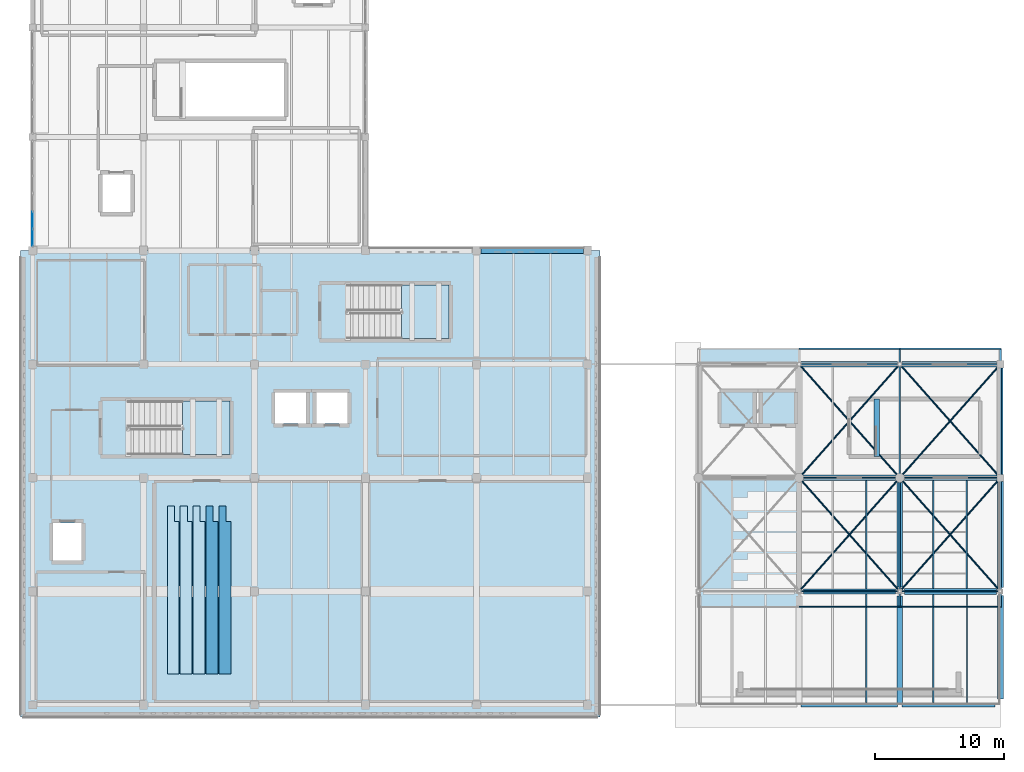
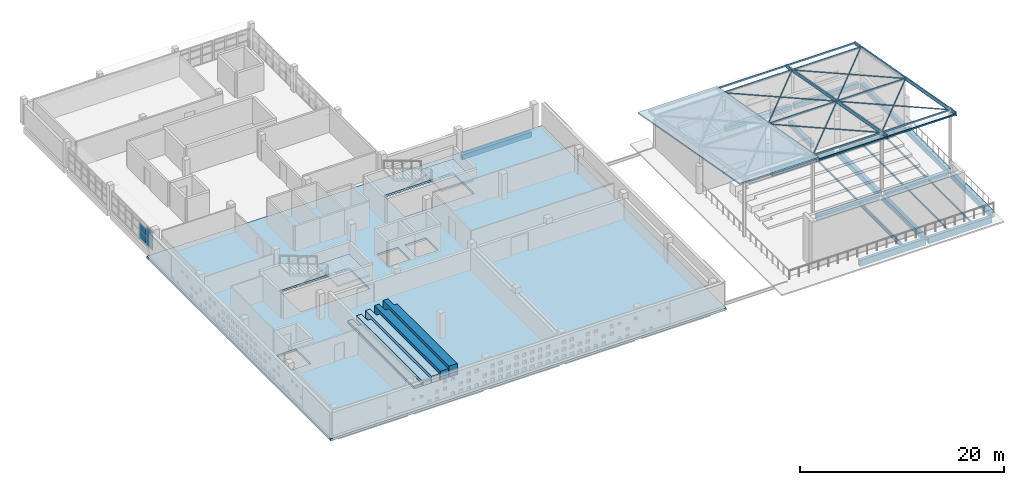
# One storey, part 18 of 34: 22 members, 21 beams, 9 slabs, 5 plates, 3 elements without a shape of their own.
"""IFC4 building model written with IfcOpenShell, lengths in metres."""

import ifcopenshell
import ifcopenshell.guid

model = None  # the IFC model being written
_history = None  # IfcOwnerHistory: only IFC2X3 demands one
_inside = {}  # id of a spatial element -> (the spatial element, [elements in it])
_under = {}  # id of a project, library or spatial element -> (it, [spatial elements below it])
_declared = {}  # id of a project -> (the project, [libraries it declares])
_typed = {}  # id of a type object -> (the type object, [elements of that type])
_made_of = {}  # id of a material, layer set ... -> (it, [elements and type objects made of it])


def new_model(schema):
    """Start an empty IFC model of exactly this schema.

    Asked for "IFC4X3", IfcOpenShell would pick the latest addendum, in which some entities
    have other attributes; the version numbers below select the first issue.
    IFC2X3 requires an IfcOwnerHistory on every rooted entity: one is made here for all.
    """
    global model, _history
    if schema == "IFC4X3":
        model = ifcopenshell.file(schema_version=(4, 3, 0, 0))
    else:
        model = ifcopenshell.file(schema=schema)
    _inside.clear()
    _under.clear()
    _declared.clear()
    _typed.clear()
    _made_of.clear()
    _history = None
    if model.schema == "IFC2X3":
        org = make("IfcOrganization", Name="unknown")
        user = make(
            "IfcPersonAndOrganization",
            ThePerson=make("IfcPerson", FamilyName="unknown"),
            TheOrganization=org,
        )
        app = make(
            "IfcApplication",
            ApplicationDeveloper=org,
            Version="unknown",
            ApplicationFullName="unknown",
            ApplicationIdentifier="unknown",
        )
        _history = make(
            "IfcOwnerHistory",
            OwningUser=user,
            OwningApplication=app,
            ChangeAction="ADDED",
            CreationDate=0,
        )
    return model


def make(cls, **values):
    """One entity of the class cls with the attributes given. An attribute that is None is left unset."""
    return model.create_entity(
        cls, **{name: value for name, value in values.items() if value is not None}
    )


def rooted(cls, **values):
    """An entity with a GlobalId (a new one), such as an element, a storey or a relation."""
    return make(cls, GlobalId=ifcopenshell.guid.new(), OwnerHistory=_history, **values)


def si_unit(unit_type, name, prefix=None):
    """IfcSIUnit, for example si_unit("LENGTHUNIT", "METRE", prefix="MILLI")."""
    return make("IfcSIUnit", UnitType=unit_type, Prefix=prefix, Name=name)


def assignment(units):
    """IfcUnitAssignment: the units of a project."""
    return None if units is None else make("IfcUnitAssignment", Units=units)


def point(xyz):
    """IfcCartesianPoint."""
    return None if xyz is None else make("IfcCartesianPoint", Coordinates=xyz)


def direction(xyz):
    """IfcDirection."""
    return None if xyz is None else make("IfcDirection", DirectionRatios=xyz)


def frame(location, z_axis=None, x_axis=None):
    """IfcAxis2Placement3D, a coordinate frame: its origin and axes. An axis left out is left unset."""
    return make(
        "IfcAxis2Placement3D",
        Location=point(location),
        Axis=direction(z_axis),
        RefDirection=direction(x_axis),
    )


def frame_2d(location, x_axis=None):
    """IfcAxis2Placement2D, a coordinate frame in the plane: its origin and x axis."""
    return make(
        "IfcAxis2Placement2D", Location=point(location), RefDirection=direction(x_axis)
    )


def origin():
    """The frame at (0, 0, 0) with its axes left unset."""
    return frame((0.0, 0.0, 0.0))


def origin_2d():
    """The frame at (0, 0) in the plane with its x axis left unset."""
    return frame_2d((0.0, 0.0))


def place(relative_to, where):
    """IfcLocalPlacement: puts the frame where relative to a parent placement (None: the world)."""
    return make(
        "IfcLocalPlacement", PlacementRelTo=relative_to, RelativePlacement=where
    )


def context(
    kind, dimensions, precision=None, world=None, true_north=None, identifier=None
):
    """IfcGeometricRepresentationContext, for example the 3D "Model" context."""
    return make(
        "IfcGeometricRepresentationContext",
        ContextIdentifier=identifier,
        ContextType=kind,
        CoordinateSpaceDimension=dimensions,
        Precision=precision,
        WorldCoordinateSystem=world,
        TrueNorth=true_north,
    )


def subcontext(parent, identifier, kind, view, scale=None):
    """IfcGeometricRepresentationSubContext, for example "Body" below "Model"."""
    return make(
        "IfcGeometricRepresentationSubContext",
        ContextIdentifier=identifier,
        ContextType=kind,
        ParentContext=parent,
        TargetScale=scale,
        TargetView=view,
    )


def project(units=None, contexts=None):
    """IfcProject with its units and contexts."""
    return rooted(
        "IfcProject",
        Name="project",
        RepresentationContexts=contexts,
        UnitsInContext=assignment(units),
    )


def spatial(cls, under=None, at=None, **own):
    """A site, building, storey or space (cls), placed at a placement, below another one or the project."""
    s = rooted(cls, ObjectPlacement=at, **own)
    if under is not None:
        _under.setdefault(under.id(), (under, []))[1].append(s)
    return s


def polyline(points):
    """IfcPolyline through the points."""
    return make("IfcPolyline", Points=[point(p) for p in points])


def profile(cls, at=None, kind="AREA", **sizes):
    """A parametric profile (cls). Its sizes go by their IFC names, for example OverallWidth=200.0."""
    return make(cls, ProfileType=kind, Position=at, **sizes)


def rectangle(**sizes):
    """IfcRectangleProfileDef."""
    return profile("IfcRectangleProfileDef", **sizes)


def hollow_rectangle(**sizes):
    """IfcRectangleHollowProfileDef."""
    return profile("IfcRectangleHollowProfileDef", **sizes)


def hollow_circle(**sizes):
    """IfcCircleHollowProfileDef."""
    return profile("IfcCircleHollowProfileDef", **sizes)


def i_section(**sizes):
    """IfcIShapeProfileDef."""
    return profile("IfcIShapeProfileDef", **sizes)


def outline(outer, holes=None, kind="AREA"):
    """IfcArbitraryClosedProfileDef: a profile drawn as a closed curve; with holes, ...WithVoids."""
    if holes is None:
        return make("IfcArbitraryClosedProfileDef", ProfileType=kind, OuterCurve=outer)
    return make(
        "IfcArbitraryProfileDefWithVoids",
        ProfileType=kind,
        OuterCurve=outer,
        InnerCurves=holes,
    )


def extrude(swept, where, along, depth):
    """IfcExtrudedAreaSolid: the profile swept, set in the frame where, extruded along a direction by depth."""
    return make(
        "IfcExtrudedAreaSolid",
        SweptArea=swept,
        Position=where,
        ExtrudedDirection=direction(along),
        Depth=depth,
    )


def shape(context_of_items, identifier, shape_type, items):
    """IfcShapeRepresentation: the items that make up one representation, for example the "Body"."""
    return make(
        "IfcShapeRepresentation",
        ContextOfItems=context_of_items,
        RepresentationIdentifier=identifier,
        RepresentationType=shape_type,
        Items=items,
    )


def material(Name=None, Category=None):
    """IfcMaterial."""
    return make("IfcMaterial", Name=Name, Category=Category)


def layer(
    of_material, thickness, ventilated=None, Name=None, Category=None, Priority=None
):
    """IfcMaterialLayer: one layer of a wall or slab, of a material (None: an air gap)."""
    return make(
        "IfcMaterialLayer",
        Material=of_material,
        LayerThickness=thickness,
        IsVentilated=ventilated,
        Name=Name,
        Category=Category,
        Priority=Priority,
    )


def layer_set(layers, Name=None):
    """IfcMaterialLayerSet."""
    return make("IfcMaterialLayerSet", MaterialLayers=layers, LayerSetName=Name)


def material_profile(
    of_material, cross_section, Name=None, Category=None, Priority=None
):
    """IfcMaterialProfile: a cross section and its material."""
    return make(
        "IfcMaterialProfile",
        Name=Name,
        Material=of_material,
        Profile=cross_section,
        Priority=Priority,
        Category=Category,
    )


def profile_set(profiles, Name=None, composite=None):
    """IfcMaterialProfileSet."""
    return make(
        "IfcMaterialProfileSet",
        Name=Name,
        MaterialProfiles=profiles,
        CompositeProfile=composite,
    )


def made_of(thing, what):
    """Note that an element or type object is made of a material, layer set ...; save() writes the relation."""
    if what is not None:
        _made_of.setdefault(what.id(), (what, []))[1].append(thing)
    return thing


def type_object(cls, material=None, **own):
    """A type object (cls), such as IfcWallType, which elements share."""
    return made_of(rooted(cls, **own), material)


def element(
    cls,
    number,
    at=None,
    inside=None,
    cuts=None,
    type_object=None,
    material=None,
    context=None,
    identifier="Body",
    shape_type=None,
    held_by="IfcProductDefinitionShape",
    body=None,
    shapes=None,
    **own,
):
    """One element of the class cls, such as IfcWall. Its Tag is "e" and its number.

    at: its placement. inside: the storey or other place that contains it. cuts: it is an
    opening in that element (IfcRelVoidsElement). A single representation is given by context,
    identifier, shape_type and body (its items); several are given by shapes. held_by: the class
    of the entity that holds the representations. save() writes the other relations.
    """
    e = rooted(cls, Tag="e%d" % number, ObjectPlacement=at, **own)
    if body is not None:
        shapes = [shape(context, identifier, shape_type, body)]
    if shapes is not None:
        e.Representation = make(held_by, Representations=shapes)
    if inside is not None:
        _inside.setdefault(inside.id(), (inside, []))[1].append(e)
    if cuts is not None:
        rooted(
            "IfcRelVoidsElement", RelatingBuildingElement=cuts, RelatedOpeningElement=e
        )
    if type_object is not None:
        _typed.setdefault(type_object.id(), (type_object, []))[1].append(e)
    return made_of(e, material)


def aggregate(whole, parts):
    """IfcRelAggregates: a whole, such as a stair, and the parts it consists of."""
    return rooted("IfcRelAggregates", RelatingObject=whole, RelatedObjects=parts)


def save(model, path):
    """Write the relations noted so far, then the file.

    IfcRelAggregates (storeys below a building ...), IfcRelContainedInSpatialStructure (elements
    in a storey), IfcRelDefinesByType, IfcRelAssociatesMaterial and IfcRelDeclares: one each for
    every whole, place, type object, material and project.
    """
    for whole, parts in _under.values():
        aggregate(whole, parts)
    for where, things in _inside.values():
        rooted(
            "IfcRelContainedInSpatialStructure",
            RelatedElements=things,
            RelatingStructure=where,
        )
    for kind, things in _typed.values():
        rooted("IfcRelDefinesByType", RelatedObjects=things, RelatingType=kind)
    for what, things in _made_of.values():
        rooted("IfcRelAssociatesMaterial", RelatedObjects=things, RelatingMaterial=what)
    for by, libraries in _declared.values():
        rooted("IfcRelDeclares", RelatingContext=by, RelatedDefinitions=libraries)
    model.write(path)


model = new_model("IFC4")

# Units and contexts
model_context = context("Model", 3, precision=1e-05, world=origin(), true_north=direction((0.0, 1.0)))
body_context = subcontext(model_context, "Body", "Model", "MODEL_VIEW")
ifc_project = project(units=[si_unit("LENGTHUNIT", "METRE"), si_unit("AREAUNIT", "SQUARE_METRE"), si_unit("VOLUMEUNIT", "CUBIC_METRE"), si_unit("PLANEANGLEUNIT", "RADIAN"), si_unit("MASSUNIT", "GRAM", prefix="KILO")], contexts=[model_context])

# Site, building, storey
site_placement = place(None, origin())
site = spatial("IfcSite", under=ifc_project, at=site_placement, CompositionType="ELEMENT")
building_placement = place(site_placement, origin())
building = spatial("IfcBuilding", under=site, at=building_placement, Name="Varnakota Cinema and Media Centre", CompositionType="ELEMENT")
storey_placement = place(building_placement, frame((0.0, 0.0, 19.050048828125)))
storey = spatial("IfcBuildingStorey", under=building, at=storey_placement, Name="L05", CompositionType="ELEMENT", Elevation=19.050048828125)

# Beams
ifc_material_1 = material(Name="Concrete M35", Category="concrete")
ifc_material_profile_1 = material_profile(ifc_material_1, rectangle(XDim=0.39990234375, YDim=0.60009765625, at=origin_2d()), Name="RCB 400x600")
ifc_profile_set_1 = profile_set([ifc_material_profile_1], Name="Concrete M35")
beam_type_1 = type_object("IfcBeamType", Name="BM-RC-400x600", PredefinedType="BEAM", material=ifc_profile_set_1)
beam_1_placement = place(storey_placement, frame((59.75, 8.800048828125, -0.550048828125), z_axis=(1.0, 0.0, 0.0), x_axis=(0.0, 1.0, 0.0)))
element("IfcBeam", 1, at=beam_1_placement, inside=storey, type_object=beam_type_1, Name="L05 girder H-J/2", PredefinedType="BEAM", context=body_context, shape_type="SweptSolid", body=[
    extrude(rectangle(XDim=0.39990234375, YDim=0.60009765625, at=origin_2d()), origin(), (0.0, 0.0, 1.0), 7.10009765625),
])
beam_2_placement = place(storey_placement, frame((67.362060546875, 26.39990234375, -0.550048828125), z_axis=(1.0, 0.0, 0.0), x_axis=(0.0, 1.0, 0.0)))
element("IfcBeam", 2, at=beam_2_placement, inside=storey, type_object=beam_type_1, Name="L05 girder J-K/4", PredefinedType="BEAM", context=body_context, shape_type="SweptSolid", body=[
    extrude(rectangle(XDim=0.39990234375, YDim=0.60009765625, at=origin_2d()), origin(), (0.0, 0.0, 1.0), 7.337890625),
])
beam_3_placement = place(storey_placement, frame((34.75, 35.199951171875, -0.550048828125), z_axis=(1.0, 0.0, 0.0), x_axis=(0.0, 1.0, 0.0)))
element("IfcBeam", 3, at=beam_3_placement, inside=storey, type_object=beam_type_1, Name="L05 girder E-F/5", PredefinedType="BEAM", context=body_context, shape_type="SweptSolid", body=[
    extrude(rectangle(XDim=0.39990234375, YDim=0.60009765625, at=origin_2d()), origin(), (0.0, 0.0, 1.0), 7.925048828125),
])
beam_4_placement = place(storey_placement, frame((67.199951171875, 0.162109375, -0.550048828125), z_axis=(0.0, 1.0, 0.0), x_axis=(-1.0, 0.0, 0.0)))
element("IfcBeam", 4, at=beam_4_placement, inside=storey, type_object=beam_type_1, Name="L05 girder J/1-2", PredefinedType="BEAM", context=body_context, shape_type="SweptSolid", body=[
    extrude(rectangle(XDim=0.39990234375, YDim=0.60009765625, at=origin_2d()), origin(), (0.0, 0.0, 1.0), 8.287841796875),
])
beam_5_placement = place(storey_placement, frame((75.0, 17.875, -0.550048828125), z_axis=(0.0, 1.0, 0.0), x_axis=(-1.0, 0.0, 0.0)))
element("IfcBeam", 5, at=beam_5_placement, inside=storey, type_object=beam_type_1, Name="L05 girder K/3-4", PredefinedType="BEAM", context=body_context, shape_type="SweptSolid", body=[
    extrude(rectangle(XDim=0.39990234375, YDim=0.60009765625, at=origin_2d()), origin(), (0.0, 0.0, 1.0), 8.22509765625),
])
ifc_material_2 = material(Name="Concrete M40", Category="concrete")
ifc_material_profile_2 = material_profile(ifc_material_2, rectangle(XDim=0.449951171875, YDim=0.550048828125, at=origin_2d()), Name="RCB 450x550")
ifc_profile_set_2 = profile_set([ifc_material_profile_2], Name="Concrete M40")
beam_type_2 = type_object("IfcBeamType", Name="BM-RC-450x550", PredefinedType="BEAM", material=ifc_profile_set_2)
beam_6_placement = place(storey_placement, frame((65.419921875, 19.25, -0.275146484375), z_axis=(0.0, 1.0, 0.0), x_axis=(-1.0, 0.0, 0.0)))
element("IfcBeam", 6, at=beam_6_placement, inside=storey, type_object=beam_type_2, Name="L05 ST-04 stair arrival trimmer beam", PredefinedType="BEAM", context=body_context, shape_type="SweptSolid", body=[
    extrude(rectangle(XDim=0.449951171875, YDim=0.550048828125, at=origin_2d()), origin(), (0.0, 0.0, 1.0), 4.449951171875),
])
ifc_material_3 = material(Name="Concrete M35", Category="concrete")
ifc_material_profile_3 = material_profile(ifc_material_3, rectangle(XDim=0.449951171875, YDim=0.60009765625, at=origin_2d()), Name="RCB 450x600")
ifc_profile_set_3 = profile_set([ifc_material_profile_3], Name="Concrete M35")
beam_type_3 = type_object("IfcBeamType", Name="BM-RC-450x600", PredefinedType="BEAM", material=ifc_profile_set_3)
beam_7_placement = place(storey_placement, frame((67.550048828125, 17.60009765625, -0.550048828125), z_axis=(1.0, 0.0, 0.0), x_axis=(0.0, 1.0, 0.0)))
element("IfcBeam", 7, at=beam_7_placement, inside=storey, type_object=beam_type_3, Name="L05 girder J-K/3", PredefinedType="BEAM", context=body_context, shape_type="SweptSolid", body=[
    extrude(rectangle(XDim=0.449951171875, YDim=0.60009765625, at=origin_2d()), origin(), (0.0, 0.0, 1.0), 7.175048828125),
])
beam_8_placement = place(storey_placement, frame((59.56201171875, 26.39990234375, -0.550048828125), z_axis=(1.0, 0.0, 0.0), x_axis=(0.0, 1.0, 0.0)))
element("IfcBeam", 8, at=beam_8_placement, inside=storey, type_object=beam_type_3, Name="L05 girder H-J/4", PredefinedType="BEAM", context=body_context, shape_type="SweptSolid", body=[
    extrude(rectangle(XDim=0.449951171875, YDim=0.60009765625, at=origin_2d()), origin(), (0.0, 0.0, 1.0), 7.47607421875),
])
beam_9_placement = place(storey_placement, frame((75.0, 9.10009765625, -0.550048828125), z_axis=(0.0, 1.0, 0.0), x_axis=(-1.0, 0.0, 0.0)))
element("IfcBeam", 9, at=beam_9_placement, inside=storey, type_object=beam_type_3, Name="L05 girder K/2-3", PredefinedType="BEAM", context=body_context, shape_type="SweptSolid", body=[
    extrude(rectangle(XDim=0.449951171875, YDim=0.60009765625, at=origin_2d()), origin(), (0.0, 0.0, 1.0), 8.224853515625),
])
ifc_material_4 = material(Name="Concrete M35", Category="concrete")
ifc_material_profile_4 = material_profile(ifc_material_4, rectangle(XDim=0.449951171875, YDim=0.64990234375, at=origin_2d()), Name="RCB 450x650")
ifc_profile_set_4 = profile_set([ifc_material_profile_4], Name="Concrete M35")
beam_type_4 = type_object("IfcBeamType", Name="BM-RC-450x650", PredefinedType="BEAM", material=ifc_profile_set_4)
beam_10_placement = place(storey_placement, frame((67.550048828125, 8.800048828125, -0.574951171875), z_axis=(1.0, 0.0, 0.0), x_axis=(0.0, 1.0, 0.0)))
element("IfcBeam", 10, at=beam_10_placement, inside=storey, type_object=beam_type_4, Name="L05 girder J-K/2", PredefinedType="BEAM", context=body_context, shape_type="SweptSolid", body=[
    extrude(rectangle(XDim=0.449951171875, YDim=0.64990234375, at=origin_2d()), origin(), (0.0, 0.0, 1.0), 7.14990234375),
])
beam_11_placement = place(storey_placement, frame((59.75, 17.60009765625, -0.574951171875), z_axis=(1.0, 0.0, 0.0), x_axis=(0.0, 1.0, 0.0)))
element("IfcBeam", 11, at=beam_11_placement, inside=storey, type_object=beam_type_4, Name="L05 girder H-J/3", PredefinedType="BEAM", context=body_context, shape_type="SweptSolid", body=[
    extrude(rectangle(XDim=0.449951171875, YDim=0.64990234375, at=origin_2d()), origin(), (0.0, 0.0, 1.0), 7.10009765625),
])
beam_12_placement = place(storey_placement, frame((67.199951171875, 9.14990234375, -0.574951171875), z_axis=(0.0, 1.0, 0.0), x_axis=(-1.0, 0.0, 0.0)))
element("IfcBeam", 12, at=beam_12_placement, inside=storey, type_object=beam_type_4, Name="L05 girder J/2-3", PredefinedType="BEAM", context=body_context, shape_type="SweptSolid", body=[
    extrude(rectangle(XDim=0.449951171875, YDim=0.64990234375, at=origin_2d()), origin(), (0.0, 0.0, 1.0), 8.10009765625),
])
beam_13_placement = place(storey_placement, frame((75.0, 0.47509765625, -0.574951171875), z_axis=(0.0, 1.0, 0.0), x_axis=(-1.0, 0.0, 0.0)))
element("IfcBeam", 13, at=beam_13_placement, inside=storey, type_object=beam_type_4, Name="L05 girder K/1-2", PredefinedType="BEAM", context=body_context, shape_type="SweptSolid", body=[
    extrude(rectangle(XDim=0.449951171875, YDim=0.64990234375, at=origin_2d()), origin(), (0.0, 0.0, 1.0), 8.02490234375),
])
ifc_material_5 = material(Name="Concrete M40", Category="concrete")
ifc_material_profile_5 = material_profile(ifc_material_5, rectangle(XDim=0.35009765625, YDim=0.75, at=origin_2d()), Name="RCB 350x750")
ifc_profile_set_5 = profile_set([ifc_material_profile_5], Name="Concrete M40")
beam_type_5 = type_object("IfcBeamType", Name="BM-SP-350x750", PredefinedType="SPANDREL", material=ifc_profile_set_5)
beam_14_placement = place(storey_placement, frame((59.56201171875, 0.0, -0.625), z_axis=(1.0, 0.0, 0.0), x_axis=(0.0, 1.0, 0.0)))
element("IfcBeam", 14, at=beam_14_placement, inside=storey, type_object=beam_type_5, Name="L05 girder H-J/1", PredefinedType="SPANDREL", context=body_context, shape_type="SweptSolid", body=[
    extrude(rectangle(XDim=0.35009765625, YDim=0.75, at=origin_2d()), origin(), (0.0, 0.0, 1.0), 7.47607421875),
])
beam_15_placement = place(storey_placement, frame((67.362060546875, 0.0, -0.625), z_axis=(1.0, 0.0, 0.0), x_axis=(0.0, 1.0, 0.0)))
element("IfcBeam", 15, at=beam_15_placement, inside=storey, type_object=beam_type_5, Name="L05 girder J-K/1", PredefinedType="SPANDREL", context=body_context, shape_type="SweptSolid", body=[
    extrude(rectangle(XDim=0.35009765625, YDim=0.75, at=origin_2d()), origin(), (0.0, 0.0, 1.0), 7.212890625),
])
ifc_material_6 = material(Name="Structural steel Grade 350 (E350)", Category="steel")
ifc_material_profile_6 = material_profile(ifc_material_6, i_section(OverallWidth=0.10009765625, OverallDepth=0.199951171875, WebThickness=0.005615234375, FlangeThickness=0.0107421875, FilletRadius=0.010986328125, at=origin_2d()), Name="ISMB 200")
ifc_profile_set_6 = profile_set([ifc_material_profile_6], Name="Structural steel Grade 350 (E350)")
beam_type_6 = type_object("IfcBeamType", Name="BM-ST-ISMB200", PredefinedType="JOIST", material=ifc_profile_set_6)
beam_16_placement = place(storey_placement, frame((64.60009765625, 9.0, -0.35009765625), z_axis=(0.0, 1.0, 0.0), x_axis=(-1.0, 0.0, 0.0)))
element("IfcBeam", 16, at=beam_16_placement, inside=storey, type_object=beam_type_6, Name="L05 steel joist H-J/2-3 #2", PredefinedType="JOIST", context=body_context, shape_type="SweptSolid", body=[
    extrude(i_section(OverallWidth=0.10009765625, OverallDepth=0.199951171875, WebThickness=0.005615234375, FlangeThickness=0.0107421875, FilletRadius=0.010986328125, at=origin_2d()), origin(), (0.0, 0.0, 1.0), 8.375),
])
for number, where, z_axis, x_axis, name in (
    (17, (69.800048828125, 0.175048828125, -0.35009765625), (0.0, 1.0, 0.0), (-1.0, 0.0, 0.0), "L05 steel joist J-K/1-2 #1"),
    (18, (72.39990234375, 0.175048828125, -0.35009765625), (0.0, 1.0, 0.0), (-1.0, 0.0, 0.0), "L05 steel joist J-K/1-2 #2"),
):
    element("IfcBeam", number, at=place(storey_placement, frame(where, z_axis=z_axis, x_axis=x_axis)), inside=storey, type_object=beam_type_6, Name=name, PredefinedType="JOIST", context=body_context, shape_type="SweptSolid", body=[
        extrude(i_section(OverallWidth=0.10009765625, OverallDepth=0.199951171875, WebThickness=0.005615234375, FlangeThickness=0.0107421875, FilletRadius=0.010986328125, at=origin_2d()), origin(), (0.0, 0.0, 1.0), 8.39990234375),
    ])
ifc_material_7 = material(Name="Structural steel Grade 350 (E350)", Category="steel")
ifc_material_profile_7 = material_profile(ifc_material_7, i_section(OverallWidth=0.110107421875, OverallDepth=0.22509765625, WebThickness=0.006591796875, FlangeThickness=0.01171875, FilletRadius=0.011962890625, at=origin_2d()), Name="ISMB 225")
ifc_profile_set_7 = profile_set([ifc_material_profile_7], Name="Structural steel Grade 350 (E350)")
beam_type_7 = type_object("IfcBeamType", Name="BM-ST-ISMB225", PredefinedType="JOIST", material=ifc_profile_set_7)
for number, where, z_axis, x_axis, name in (
    (19, (69.800048828125, 9.02490234375, -0.362548828125), (0.0, 1.0, 0.0), (-1.0, 0.0, 0.0), "L05 steel joist J-K/2-3 #1"),
    (20, (72.39990234375, 9.02490234375, -0.362548828125), (0.0, 1.0, 0.0), (-1.0, 0.0, 0.0), "L05 steel joist J-K/2-3 #2"),
):
    element("IfcBeam", number, at=place(storey_placement, frame(where, z_axis=z_axis, x_axis=x_axis)), inside=storey, type_object=beam_type_7, Name=name, PredefinedType="JOIST", context=body_context, shape_type="SweptSolid", body=[
        extrude(i_section(OverallWidth=0.110107421875, OverallDepth=0.22509765625, WebThickness=0.006591796875, FlangeThickness=0.01171875, FilletRadius=0.011962890625, at=origin_2d()), origin(), (0.0, 0.0, 1.0), 8.35009765625),
    ])
ifc_material_8 = material(Name="Structural steel Grade 350 (E350)", Category="steel")
ifc_material_profile_8 = material_profile(ifc_material_8, i_section(OverallWidth=0.14990234375, OverallDepth=0.449951171875, WebThickness=0.009521484375, FlangeThickness=0.017333984375, FilletRadius=0.014892578125, at=origin_2d()), Name="ISMB 450")
ifc_profile_set_8 = profile_set([ifc_material_profile_8], Name="Structural steel Grade 350 (E350)")
beam_type_8 = type_object("IfcBeamType", Name="BM-ST-ISMB450", PredefinedType="BEAM", material=ifc_profile_set_8)
beam_17_placement = place(storey_placement, frame((64.60009765625, 0.175048828125, -0.47509765625), z_axis=(0.0, 1.0, 0.0), x_axis=(-1.0, 0.0, 0.0)))
element("IfcBeam", 21, at=beam_17_placement, inside=storey, type_object=beam_type_8, Name="L05 steel joist H-J/1-2 #2", PredefinedType="BEAM", context=body_context, shape_type="SweptSolid", body=[
    extrude(i_section(OverallWidth=0.14990234375, OverallDepth=0.449951171875, WebThickness=0.009521484375, FlangeThickness=0.017333984375, FilletRadius=0.014892578125, at=origin_2d()), origin(), (0.0, 0.0, 1.0), 8.425048828125),
])

# Members
ifc_material_9 = material(Name="Structural steel S355 (YSt 355)", Category="steel")
ifc_material_profile_9 = material_profile(ifc_material_9, hollow_circle(Radius=0.06982421875, WallThickness=0.006103515625, at=origin_2d()), Name="CHS 139.7x6.0")
ifc_profile_set_9 = profile_set([ifc_material_profile_9], Name="Structural steel S355 (YSt 355)")
member_type_1 = type_object("IfcMemberType", Name="MEM-ST-CHS139_7x6_0", PredefinedType="CHORD", material=ifc_profile_set_9)
for number, where, z_axis, x_axis, name in (
    (22, (59.39990234375, 8.800048828125, 6.98388671875), (0.657370860316, 0.741648648161, -0.133494699106), (-0.748346705009, 0.663307778563, 0.0), "V3 canopy diagrid A 2.1"),
    (23, (67.199951171875, 8.800048828125, 6.98388671875), (-0.657370860316, 0.741648648161, -0.133494699106), (-0.748346705009, -0.663307778563, 0.0), "V3 canopy diagrid B 2.1"),
):
    element("IfcMember", number, at=place(storey_placement, frame(where, z_axis=z_axis, x_axis=x_axis)), inside=storey, type_object=member_type_1, Name=name, PredefinedType="CHORD", context=body_context, shape_type="SweptSolid", body=[
        extrude(hollow_circle(Radius=0.06982421875, WallThickness=0.006103515625, at=origin_2d()), origin(), (0.0, 0.0, 1.0), 11.865478515625),
    ])
for number, where, z_axis, x_axis, name in (
    (24, (59.39990234375, 17.60009765625, 5.39990234375), (0.657380891813, 0.741639389793, -0.133496736238), (-0.748337570228, 0.66331808432, 0.0), "V3 canopy diagrid A 2.2"),
    (25, (67.199951171875, 17.60009765625, 5.39990234375), (-0.657380891813, 0.741639389793, -0.133496736238), (-0.748337570228, -0.66331808432, 0.0), "V3 canopy diagrid B 2.2"),
):
    element("IfcMember", number, at=place(storey_placement, frame(where, z_axis=z_axis, x_axis=x_axis)), inside=storey, type_object=member_type_1, Name=name, PredefinedType="CHORD", context=body_context, shape_type="SweptSolid", body=[
        extrude(hollow_circle(Radius=0.06982421875, WallThickness=0.006103515625, at=origin_2d()), origin(), (0.0, 0.0, 1.0), 11.865234375),
    ])
for number, where, z_axis, x_axis, name in (
    (26, (67.199951171875, 8.800048828125, 6.98388671875), (0.657370860316, 0.741648648161, -0.133494699106), (-0.748346705009, 0.663307778563, 0.0), "V3 canopy diagrid A 3.1"),
    (27, (75.0, 8.800048828125, 6.98388671875), (-0.657370860316, 0.741648648161, -0.133494699106), (-0.748346705009, -0.663307778563, 0.0), "V3 canopy diagrid B 3.1"),
):
    element("IfcMember", number, at=place(storey_placement, frame(where, z_axis=z_axis, x_axis=x_axis)), inside=storey, type_object=member_type_1, Name=name, PredefinedType="CHORD", context=body_context, shape_type="SweptSolid", body=[
        extrude(hollow_circle(Radius=0.06982421875, WallThickness=0.006103515625, at=origin_2d()), origin(), (0.0, 0.0, 1.0), 11.865478515625),
    ])
for number, where, z_axis, x_axis, name in (
    (28, (67.199951171875, 17.60009765625, 5.39990234375), (0.657380891813, 0.741639389793, -0.133496736238), (-0.748337570228, 0.66331808432, 0.0), "V3 canopy diagrid A 3.2"),
    (29, (75.0, 17.60009765625, 5.39990234375), (-0.657380891813, 0.741639389793, -0.133496736238), (-0.748337570228, -0.66331808432, 0.0), "V3 canopy diagrid B 3.2"),
):
    element("IfcMember", number, at=place(storey_placement, frame(where, z_axis=z_axis, x_axis=x_axis)), inside=storey, type_object=member_type_1, Name=name, PredefinedType="CHORD", context=body_context, shape_type="SweptSolid", body=[
        extrude(hollow_circle(Radius=0.06982421875, WallThickness=0.006103515625, at=origin_2d()), origin(), (0.0, 0.0, 1.0), 11.865234375),
    ])
ifc_material_10 = material(Name="Structural steel Grade 350 (E350)", Category="steel")
ifc_material_profile_10 = material_profile(ifc_material_10, i_section(OverallWidth=0.139892578125, OverallDepth=0.35009765625, WebThickness=0.008056640625, FlangeThickness=0.01416015625, FilletRadius=0.013916015625, at=origin_2d()), Name="ISMB 350")
ifc_profile_set_10 = profile_set([ifc_material_profile_10], Name="Structural steel Grade 350 (E350)")
member_type_2 = type_object("IfcMemberType", Name="MEM-ST-ISMB350", PredefinedType="RAFTER", material=ifc_profile_set_10)
for number, where, z_axis, x_axis, name in (
    (30, (67.199951171875, 17.60009765625, 5.39990234375), (0.0, 0.984182486105, -0.177157653077), (-1.0, 0.0, 0.0), "V3 pavilion roof north rafter 3"),
    (31, (75.0, 17.60009765625, 5.39990234375), (0.0, 0.984182486105, -0.177157653077), (-1.0, 0.0, 0.0), "V3 pavilion roof north rafter 4"),
):
    element("IfcMember", number, at=place(storey_placement, frame(where, z_axis=z_axis, x_axis=x_axis)), inside=storey, type_object=member_type_2, Name=name, PredefinedType="RAFTER", context=body_context, shape_type="SweptSolid", body=[
        extrude(i_section(OverallWidth=0.139892578125, OverallDepth=0.35009765625, WebThickness=0.008056640625, FlangeThickness=0.01416015625, FilletRadius=0.013916015625, at=origin_2d()), origin(), (0.0, 0.0, 1.0), 10.16064453125),
    ])
ifc_material_11 = material(Name="Structural steel Grade 350 (E350)", Category="steel")
ifc_material_profile_11 = material_profile(ifc_material_11, i_section(OverallWidth=0.139892578125, OverallDepth=0.39990234375, WebThickness=0.0087890625, FlangeThickness=0.01611328125, FilletRadius=0.013916015625, at=origin_2d()), Name="ISMB 400")
ifc_profile_set_11 = profile_set([ifc_material_profile_11], Name="Structural steel Grade 350 (E350)")
member_type_3 = type_object("IfcMemberType", Name="MEM-ST-ISMB400", PredefinedType="RAFTER", material=ifc_profile_set_11)
for number, where, z_axis, x_axis, name in (
    (32, (67.199951171875, 7.60009765625, 7.199951171875), (0.0, 0.984182486105, -0.177157653077), (-1.0, 0.0, 0.0), "V3 amphitheatre canopy south rafter 3"),
    (33, (75.0, 7.60009765625, 7.199951171875), (0.0, 0.984182486105, -0.177157653077), (-1.0, 0.0, 0.0), "V3 amphitheatre canopy south rafter 4"),
):
    element("IfcMember", number, at=place(storey_placement, frame(where, z_axis=z_axis, x_axis=x_axis)), inside=storey, type_object=member_type_3, Name=name, PredefinedType="RAFTER", context=body_context, shape_type="SweptSolid", body=[
        extrude(i_section(OverallWidth=0.139892578125, OverallDepth=0.39990234375, WebThickness=0.0087890625, FlangeThickness=0.01611328125, FilletRadius=0.013916015625, at=origin_2d()), origin(), (0.0, 0.0, 1.0), 10.16064453125),
    ])
ifc_material_12 = material(Name="Structural steel S355 (YSt 355)", Category="steel")
ifc_material_profile_12 = material_profile(ifc_material_12, hollow_rectangle(XDim=0.10009765625, YDim=0.199951171875, WallThickness=0.006103515625, InnerFilletRadius=0.006103515625, OuterFilletRadius=0.011962890625, at=origin_2d()), Name="RHS 200x100x6")
ifc_profile_set_12 = profile_set([ifc_material_profile_12], Name="Structural steel S355 (YSt 355)")
member_type_4 = type_object("IfcMemberType", Name="MEM-ST-RHS200x100x6", PredefinedType="PURLIN", material=ifc_profile_set_12)
for number, where, z_axis, x_axis, name in (
    (34, (59.39990234375, 7.60009765625, 7.199951171875), (1.0, 0.0, 0.0), (0.0, 1.0, 0.0), "V3 canopy purlin tie 2.7"),
    (35, (59.39990234375, 8.800048828125, 6.98388671875), (1.0, 0.0, 0.0), (0.0, 1.0, 0.0), "V3 canopy purlin tie 2.8"),
    (36, (59.39990234375, 17.60009765625, 5.39990234375), (1.0, 0.0, 0.0), (0.0, 1.0, 0.0), "V3 canopy purlin tie 2.17"),
    (37, (59.39990234375, 26.39990234375, 3.81591796875), (1.0, 0.0, 0.0), (0.0, 1.0, 0.0), "V3 canopy purlin tie 2.26"),
    (38, (59.39990234375, 27.60009765625, 3.599853515625), (1.0, 0.0, 0.0), (0.0, 1.0, 0.0), "V3 canopy purlin tie 2.27"),
    (39, (67.199951171875, 7.60009765625, 7.199951171875), (1.0, 0.0, 0.0), (0.0, 1.0, 0.0), "V3 canopy purlin tie 3.7"),
    (40, (67.199951171875, 8.800048828125, 6.98388671875), (1.0, 0.0, 0.0), (0.0, 1.0, 0.0), "V3 canopy purlin tie 3.8"),
    (41, (67.199951171875, 17.60009765625, 5.39990234375), (1.0, 0.0, 0.0), (0.0, 1.0, 0.0), "V3 canopy purlin tie 3.17"),
    (42, (67.199951171875, 26.39990234375, 3.81591796875), (1.0, 0.0, 0.0), (0.0, 1.0, 0.0), "V3 canopy purlin tie 3.26"),
    (43, (67.199951171875, 27.60009765625, 3.599853515625), (1.0, 0.0, 0.0), (0.0, 1.0, 0.0), "V3 canopy purlin tie 3.27"),
):
    element("IfcMember", number, at=place(storey_placement, frame(where, z_axis=z_axis, x_axis=x_axis)), inside=storey, type_object=member_type_4, Name=name, PredefinedType="PURLIN", context=body_context, shape_type="SweptSolid", body=[
        extrude(hollow_rectangle(XDim=0.10009765625, YDim=0.199951171875, WallThickness=0.006103515625, InnerFilletRadius=0.006103515625, OuterFilletRadius=0.011962890625, at=origin_2d()), origin(), (0.0, 0.0, 1.0), 7.800048828125),
    ])

# Curtain wall, plates
ifc_material_13 = material(Name="Thermally broken anodised aluminium AW-6063", Category="aluminium")
curtain_wall_type = type_object("IfcCurtainWallType", Name="CW-STD-408x240", PredefinedType="USERDEFINED", material=ifc_material_13)
curtain_wall_placement = place(storey_placement, origin())
curtain_wall = element("IfcCurtainWall", 44, at=curtain_wall_placement, inside=storey, type_object=curtain_wall_type, Name="L05 curtain wall CW-L05-V5-W-03-2", ObjectType="UNITISED CURTAIN WALL", PredefinedType="USERDEFINED")
ifc_material_14 = material(Name="Laminated solar-control double glazing", Category="glass")
ifc_layer_1 = layer(ifc_material_14, 0.028076171875)
ifc_layer_set_1 = layer_set([ifc_layer_1], Name="Laminated solar-control double glazing")
plate_type = type_object("IfcPlateType", Name="CWP-DGU-28", PredefinedType="CURTAIN_PANEL", material=ifc_layer_set_1)
plate_1_placement = place(storey_placement, frame((0.0, 37.56494140625, 0.06494140625), z_axis=(0.0, 0.0, 1.0), x_axis=(0.0, -1.0, 0.0)))
plate_1 = element("IfcPlate", 45, at=plate_1_placement, type_object=plate_type, Name="CW57 panel 2.1", PredefinedType="CURTAIN_PANEL", context=body_context, shape_type="SweptSolid", body=[
    extrude(rectangle(XDim=1.294921875, YDim=0.028076171875, at=origin_2d()), origin(), (0.0, 0.0, 1.0), 0.908447265625),
])
plate_2_placement = place(storey_placement, frame((0.0, 37.56494140625, 1.03857421875), z_axis=(0.0, 0.0, 1.0), x_axis=(0.0, -1.0, 0.0)))
plate_2 = element("IfcPlate", 46, at=plate_2_placement, type_object=plate_type, Name="CW57 panel 2.2", PredefinedType="CURTAIN_PANEL", context=body_context, shape_type="SweptSolid", body=[
    extrude(rectangle(XDim=1.294921875, YDim=0.028076171875, at=origin_2d()), origin(), (0.0, 0.0, 1.0), 0.797119140625),
])
plate_3_placement = place(storey_placement, frame((0.0, 36.22119140625, 0.06494140625), z_axis=(0.0, 0.0, 1.0), x_axis=(0.0, -1.0, 0.0)))
plate_3 = element("IfcPlate", 47, at=plate_3_placement, type_object=plate_type, Name="CW57 panel 3.1", PredefinedType="CURTAIN_PANEL", context=body_context, shape_type="SweptSolid", body=[
    extrude(rectangle(XDim=1.262451171875, YDim=0.028076171875, at=origin_2d()), origin(), (0.0, 0.0, 1.0), 0.908447265625),
])
plate_4_placement = place(storey_placement, frame((0.0, 36.22119140625, 1.03857421875), z_axis=(0.0, 0.0, 1.0), x_axis=(0.0, -1.0, 0.0)))
plate_4 = element("IfcPlate", 48, at=plate_4_placement, type_object=plate_type, Name="CW57 panel 3.2", PredefinedType="CURTAIN_PANEL", context=body_context, shape_type="SweptSolid", body=[
    extrude(rectangle(XDim=1.262451171875, YDim=0.028076171875, at=origin_2d()), origin(), (0.0, 0.0, 1.0), 0.797119140625),
])
plate_5_placement = place(storey_placement, frame((0.0, 36.22119140625, 1.900390625), z_axis=(0.0, 0.0, 1.0), x_axis=(0.0, -1.0, 0.0)))
plate_5 = element("IfcPlate", 49, at=plate_5_placement, type_object=plate_type, Name="CW57 panel 3.3", PredefinedType="CURTAIN_PANEL", context=body_context, shape_type="SweptSolid", body=[
    extrude(rectangle(XDim=1.262451171875, YDim=0.028076171875, at=origin_2d()), origin(), (0.0, 0.0, 1.0), 0.429443359375),
])
aggregate(curtain_wall, [plate_1, plate_2, plate_3, plate_4, plate_5])

# Slab
ifc_material_15 = material(Name="Concrete M35", Category="concrete")
ifc_layer_2 = layer(ifc_material_15, 0.25)
ifc_layer_set_2 = layer_set([ifc_layer_2], Name="Concrete M35")
slab_type_1 = type_object("IfcSlabType", Name="SLB-FLR-250", PredefinedType="FLOOR", material=ifc_layer_set_2)
slab_1_placement = place(storey_placement, frame((0.0, 0.0, -0.25)))
element("IfcSlab", 50, at=slab_1_placement, inside=storey, type_object=slab_type_1, Name="L05 V4 floor slab", PredefinedType="FLOOR", context=body_context, shape_type="SweptSolid", body=[
    extrude(outline(polyline([(-0.949951171875, -0.949951171875), (43.949951171875, -0.949951171875), (43.949951171875, 35.199951171875), (-0.949951171875, 35.199951171875), (-0.949951171875, -0.949951171875)]), holes=[polyline([(7.39990234375, 19.39990234375), (15.280029296875, 19.39990234375), (15.280029296875, 23.550048828125), (7.39990234375, 23.550048828125), (7.39990234375, 19.39990234375)]), polyline([(24.39990234375, 28.39990234375), (32.280029296875, 28.39990234375), (32.280029296875, 32.550048828125), (24.39990234375, 32.550048828125), (24.39990234375, 28.39990234375)]), polyline([(1.60009765625, 11.199951171875), (3.800048828125, 11.199951171875), (3.800048828125, 14.10009765625), (1.60009765625, 14.10009765625), (1.60009765625, 11.199951171875)]), polyline([(18.800048828125, 21.800048828125), (21.199951171875, 21.800048828125), (21.199951171875, 24.199951171875), (18.800048828125, 24.199951171875), (18.800048828125, 21.800048828125)]), polyline([(22.0, 21.800048828125), (24.39990234375, 21.800048828125), (24.39990234375, 24.199951171875), (22.0, 24.199951171875), (22.0, 21.800048828125)])]), origin(), (0.0, 0.0, 1.0), 0.25),
])

# Stair, slab
ifc_material_16 = material(Name="Concrete M35", Category="concrete")
stair_type_1 = type_object("IfcStairType", Name="STR-CORE-ST-01-2000", PredefinedType="HALF_TURN_STAIR", material=ifc_material_16)
stair_1_placement = place(storey_placement, origin())
stair_1 = element("IfcStair", 51, at=stair_1_placement, inside=storey, type_object=stair_type_1, Name="L05 West Firefighting Stair 1", PredefinedType="HALF_TURN_STAIR")
ifc_material_17 = material(Name="Concrete M35", Category="concrete")
ifc_layer_3 = layer(ifc_material_17, 0.199951171875)
ifc_layer_set_3 = layer_set([ifc_layer_3], Name="Concrete M35")
slab_type_2 = type_object("IfcSlabType", Name="SLB-LAND-ST-01", PredefinedType="LANDING", material=ifc_layer_set_3)
slab_2_placement = place(storey_placement, frame((0.0, 0.0, 1.449951171875)))
slab_2 = element("IfcSlab", 52, at=slab_2_placement, type_object=slab_type_2, Name="ST-01 landing 1", PredefinedType="LANDING", context=body_context, shape_type="SweptSolid", body=[
    extrude(outline(polyline([(11.60009765625, 19.39990234375), (15.280029296875, 19.39990234375), (15.280029296875, 23.550048828125), (11.60009765625, 23.550048828125), (11.60009765625, 19.39990234375)])), origin(), (0.0, 0.0, 1.0), 0.199951171875),
])
aggregate(stair_1, [slab_2])

ifc_material_18 = material(Name="Concrete M35", Category="concrete")
stair_type_2 = type_object("IfcStairType", Name="STR-CORE-ST-02-2000", PredefinedType="HALF_TURN_STAIR", material=ifc_material_18)
stair_2_placement = place(storey_placement, origin())
stair_2 = element("IfcStair", 53, at=stair_2_placement, inside=storey, type_object=stair_type_2, Name="L05 Cinema North Escape Stair 2", PredefinedType="HALF_TURN_STAIR")
ifc_material_19 = material(Name="Concrete M35", Category="concrete")
ifc_layer_4 = layer(ifc_material_19, 0.199951171875)
ifc_layer_set_4 = layer_set([ifc_layer_4], Name="Concrete M35")
slab_type_3 = type_object("IfcSlabType", Name="SLB-LAND-ST-02", PredefinedType="LANDING", material=ifc_layer_set_4)
slab_3_placement = place(storey_placement, frame((0.0, 0.0, 1.449951171875)))
slab_3 = element("IfcSlab", 54, at=slab_3_placement, type_object=slab_type_3, Name="ST-02 landing 1", PredefinedType="LANDING", context=body_context, shape_type="SweptSolid", body=[
    extrude(outline(polyline([(28.60009765625, 28.39990234375), (32.280029296875, 28.39990234375), (32.280029296875, 32.550048828125), (28.60009765625, 32.550048828125), (28.60009765625, 28.39990234375)])), origin(), (0.0, 0.0, 1.0), 0.199951171875),
])
aggregate(stair_2, [slab_3])

# Slabs
ifc_material_20 = material(Name="Precast concrete M40", Category="concrete")
ifc_layer_5 = layer(ifc_material_20, 0.14990234375)
ifc_layer_set_5 = layer_set([ifc_layer_5], Name="Precast concrete M40")
slab_type_4 = type_object("IfcSlabType", Name="SLB-ROOF-150", PredefinedType="ROOF", material=ifc_layer_set_5)
slab_4_placement = place(storey_placement, frame((50.39990234375, 7.60009765625, 7.47998046875), z_axis=(0.0, 0.177157653077, 0.984182486105), x_axis=(1.0, 0.0, 0.0)))
element("IfcSlab", 55, at=slab_4_placement, inside=storey, type_object=slab_type_4, Name="V3 rooftop amphitheatre canopy slab 1", PredefinedType="ROOF", context=body_context, shape_type="SweptSolid", body=[
    extrude(outline(polyline([(0.0, 0.0), (9.0, 0.0), (9.0, 20.321434573733637), (0.0, 20.321434573733637), (0.0, 0.0)])), origin(), (0.0, 0.0, -1.0), 0.14990234375),
])
ifc_material_21 = material(Name="Concrete M35", Category="concrete")
ifc_layer_6 = layer(ifc_material_21, 0.18994140625)
ifc_layer_set_6 = layer_set([ifc_layer_6], Name="Concrete M35")
slab_type_5 = type_object("IfcSlabType", Name="SLB-TIER-190", PredefinedType="USERDEFINED", material=ifc_layer_set_6)
slab_5_placement = place(storey_placement, origin())
element("IfcSlab", 56, at=slab_5_placement, inside=storey, type_object=slab_type_5, Name="L05 V4-SCR6 raked seating tier 1", ObjectType="SEATING TIER", PredefinedType="USERDEFINED", context=body_context, shape_type="SweptSolid", body=[
    extrude(outline(polyline([(10.43994140625, 2.39990234375), (11.360107421875, 2.39990234375), (11.360107421875, 14.199951171875), (10.991943359375, 14.199951171875), (10.991943359375, 15.39990234375), (10.43994140625, 15.39990234375), (10.43994140625, 2.39990234375)])), origin(), (0.0, 0.0, 1.0), 0.260009765625),
])
slab_6_placement = place(storey_placement, origin())
element("IfcSlab", 57, at=slab_6_placement, inside=storey, type_object=slab_type_5, Name="L05 V4-SCR6 raked seating tier 2", ObjectType="SEATING TIER", PredefinedType="USERDEFINED", context=body_context, shape_type="SweptSolid", body=[
    extrude(outline(polyline([(11.43994140625, 2.39990234375), (12.360107421875, 2.39990234375), (12.360107421875, 14.199951171875), (11.991943359375, 14.199951171875), (11.991943359375, 15.39990234375), (11.43994140625, 15.39990234375), (11.43994140625, 2.39990234375)])), origin(), (0.0, 0.0, 1.0), 0.52001953125),
])
slab_7_placement = place(storey_placement, origin())
element("IfcSlab", 58, at=slab_7_placement, inside=storey, type_object=slab_type_5, Name="L05 V4-SCR6 raked seating tier 3", ObjectType="SEATING TIER", PredefinedType="USERDEFINED", context=body_context, shape_type="SweptSolid", body=[
    extrude(outline(polyline([(12.43994140625, 2.39990234375), (13.360107421875, 2.39990234375), (13.360107421875, 14.199951171875), (12.991943359375, 14.199951171875), (12.991943359375, 15.39990234375), (12.43994140625, 15.39990234375), (12.43994140625, 2.39990234375)])), origin(), (0.0, 0.0, 1.0), 0.780029296875),
])
slab_8_placement = place(storey_placement, origin())
element("IfcSlab", 59, at=slab_8_placement, inside=storey, type_object=slab_type_5, Name="L05 V4-SCR6 raked seating tier 4", ObjectType="SEATING TIER", PredefinedType="USERDEFINED", context=body_context, shape_type="SweptSolid", body=[
    extrude(outline(polyline([(13.43994140625, 2.39990234375), (14.360107421875, 2.39990234375), (14.360107421875, 14.199951171875), (13.991943359375, 14.199951171875), (13.991943359375, 15.39990234375), (13.43994140625, 15.39990234375), (13.43994140625, 2.39990234375)])), origin(), (0.0, 0.0, 1.0), 1.0400390625),
])
slab_9_placement = place(storey_placement, origin())
element("IfcSlab", 60, at=slab_9_placement, inside=storey, type_object=slab_type_5, Name="L05 V4-SCR6 raked seating tier 5", ObjectType="SEATING TIER", PredefinedType="USERDEFINED", context=body_context, shape_type="SweptSolid", body=[
    extrude(outline(polyline([(14.43994140625, 2.39990234375), (15.360107421875, 2.39990234375), (15.360107421875, 14.199951171875), (14.991943359375, 14.199951171875), (14.991943359375, 15.39990234375), (14.43994140625, 15.39990234375), (14.43994140625, 2.39990234375)])), origin(), (0.0, 0.0, 1.0), 1.300048828125),
])

save(model, "model.ifc")
